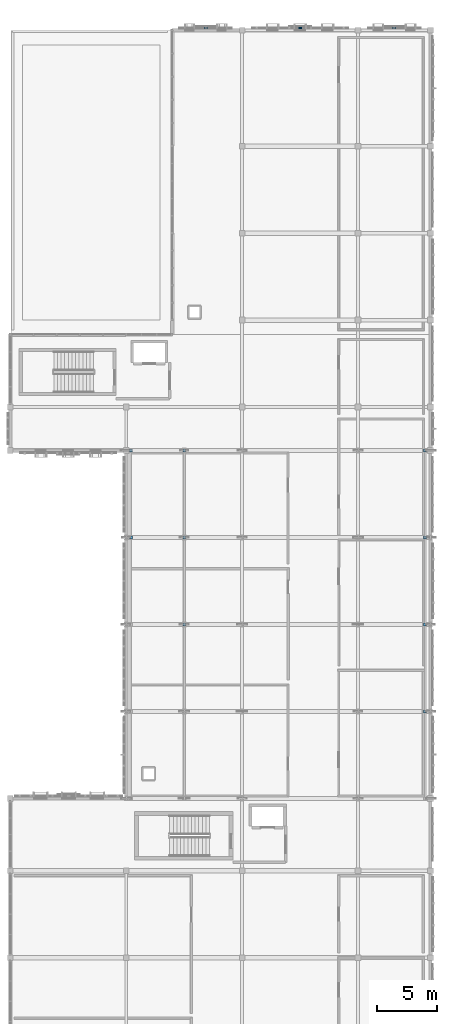
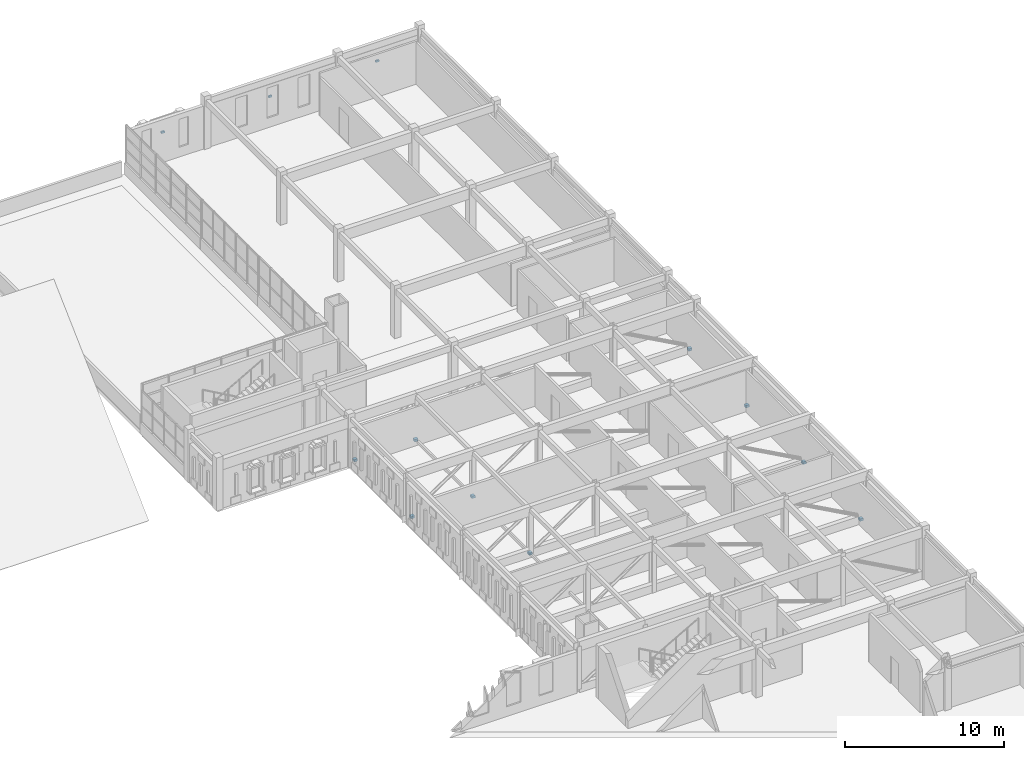
# One storey, part 63 of 79: 12 discrete accessories.
"""IFC4 building model written with IfcOpenShell, lengths in metres."""

from ifc_helpers import new_model, si_unit, direction, frame, origin, origin_2d, place, context, subcontext, project, spatial, rectangle, extrude, material, type_object, element, save


model = new_model("IFC4")

# Units and contexts
model_context = context("Model", 3, precision=1e-05, world=origin(), true_north=direction((0.0, 1.0)))
body_context = subcontext(model_context, "Body", "Model", "MODEL_VIEW")
ifc_project = project(units=[si_unit("LENGTHUNIT", "METRE"), si_unit("AREAUNIT", "SQUARE_METRE"), si_unit("VOLUMEUNIT", "CUBIC_METRE"), si_unit("PLANEANGLEUNIT", "RADIAN"), si_unit("MASSUNIT", "GRAM", prefix="KILO")], contexts=[model_context])

# Site, building, storey
site_placement = place(None, origin())
site = spatial("IfcSite", under=ifc_project, at=site_placement, CompositionType="ELEMENT")
building_placement = place(site_placement, origin())
building = spatial("IfcBuilding", under=site, at=building_placement, Name="Nzembalo Square Collegiate School", CompositionType="ELEMENT")
storey_placement = place(building_placement, frame((0.0, 0.0, 9.52001953125)))
storey = spatial("IfcBuildingStorey", under=building, at=storey_placement, Name="L02", CompositionType="ELEMENT", Elevation=9.52001953125)

# Discrete accessories
ifc_material = material(Name="Steel S355", Category="steel")
discrete_accessory_type = type_object("IfcDiscreteAccessoryType", Name="BK01", PredefinedType="BRACKET", material=ifc_material)
for number, where, z_axis, x_axis, name in (
    (1, (146.97900390625, 114.1875, 2.029296875), (0.0, 0.0, 1.0), (1.0, 0.0, 0.0), "Screen bracket BK01-003"),
    (2, (154.800048828125, 114.197509765625, 2.029296875), (0.0, 0.0, 1.0), (1.0, 0.0, 0.0), "Screen bracket BK01-004"),
    (3, (162.60009765625, 114.1875, 2.029296875), (0.0, 0.0, 1.0), (1.0, 0.0, 0.0), "Screen bracket BK01-005"),
):
    element("IfcDiscreteAccessory", number, at=place(storey_placement, frame(where, z_axis=z_axis, x_axis=x_axis)), inside=storey, type_object=discrete_accessory_type, Name=name, PredefinedType="BRACKET", context=body_context, shape_type="SweptSolid", body=[
        extrude(rectangle(XDim=0.239990234375, YDim=0.1201171875, at=origin_2d()), origin(), (0.0, 0.0, 1.0), 0.139892578125),
    ])
for number, where, z_axis, x_axis, name in (
    (4, (145.199951171875, 64.800048828125, 0.169921875), (0.0, 0.0, 1.0), (1.0, 0.0, 0.0), "Steel S355 brace end gusset shoe BK01-B097"),
    (5, (140.780029296875, 72.0, 0.169921875), (0.0, 0.0, 1.0), (1.0, 0.0, 0.0), "Steel S355 brace end gusset shoe BK01-B098"),
    (6, (145.199951171875, 72.0, 0.169921875), (0.0, 0.0, 1.0), (1.0, 0.0, 0.0), "Steel S355 brace end gusset shoe BK01-B099"),
    (7, (140.780029296875, 79.199951171875, 0.169921875), (0.0, 0.0, 1.0), (1.0, 0.0, 0.0), "Steel S355 brace end gusset shoe BK01-B100"),
    (8, (145.199951171875, 79.199951171875, 0.169921875), (0.0, 0.0, 1.0), (1.0, 0.0, 0.0), "Steel S355 brace end gusset shoe BK01-B101"),
    (9, (165.14990234375, 57.60009765625, 0.169921875), (0.0, 0.0, 1.0), (1.0, 0.0, 0.0), "Steel S355 brace end gusset shoe BK01-B103"),
    (10, (165.14990234375, 64.800048828125, 0.169921875), (0.0, 0.0, 1.0), (1.0, 0.0, 0.0), "Steel S355 brace end gusset shoe BK01-B104"),
    (11, (165.14990234375, 72.0, 0.169921875), (0.0, 0.0, 1.0), (1.0, 0.0, 0.0), "Steel S355 brace end gusset shoe BK01-B105"),
    (12, (165.14990234375, 79.199951171875, 0.169921875), (0.0, 0.0, 1.0), (1.0, 0.0, 0.0), "Steel S355 brace end gusset shoe BK01-B106"),
):
    element("IfcDiscreteAccessory", number, at=place(storey_placement, frame(where, z_axis=z_axis, x_axis=x_axis)), inside=storey, type_object=discrete_accessory_type, Name=name, PredefinedType="BRACKET", context=body_context, shape_type="SweptSolid", body=[
        extrude(rectangle(XDim=0.239990234375, YDim=0.239990234375, at=origin_2d()), origin(), (0.0, 0.0, 1.0), 0.179931640625),
    ])

save(model, "model.ifc")
